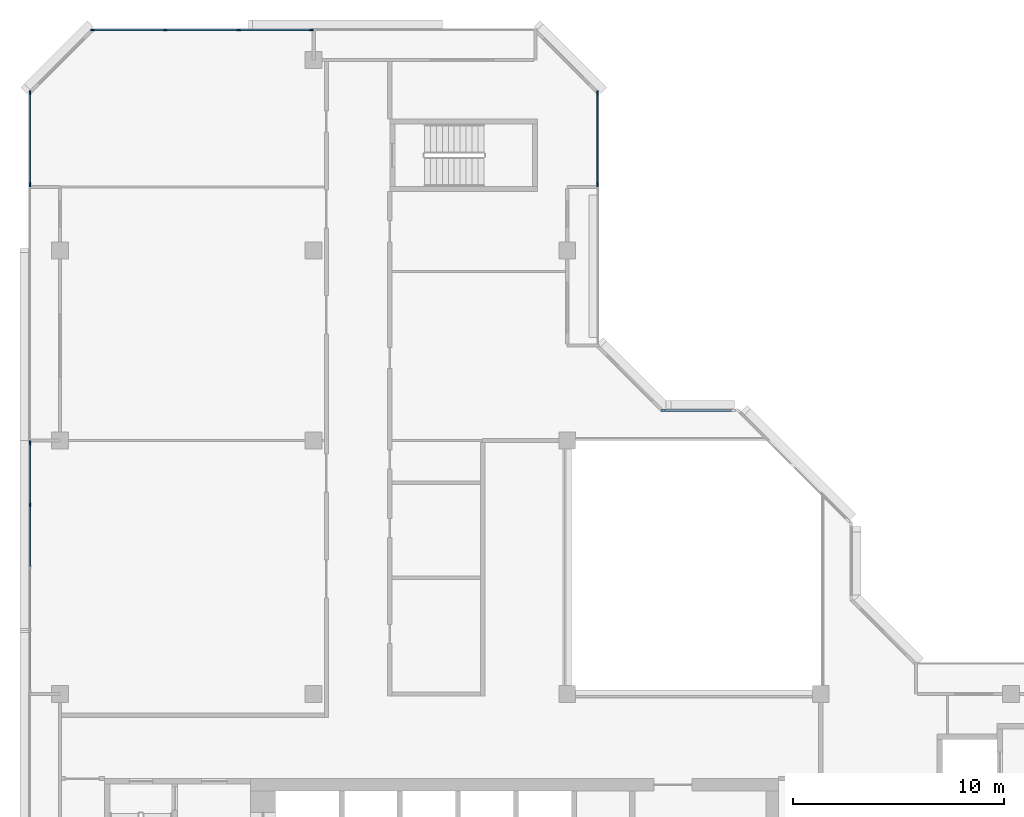
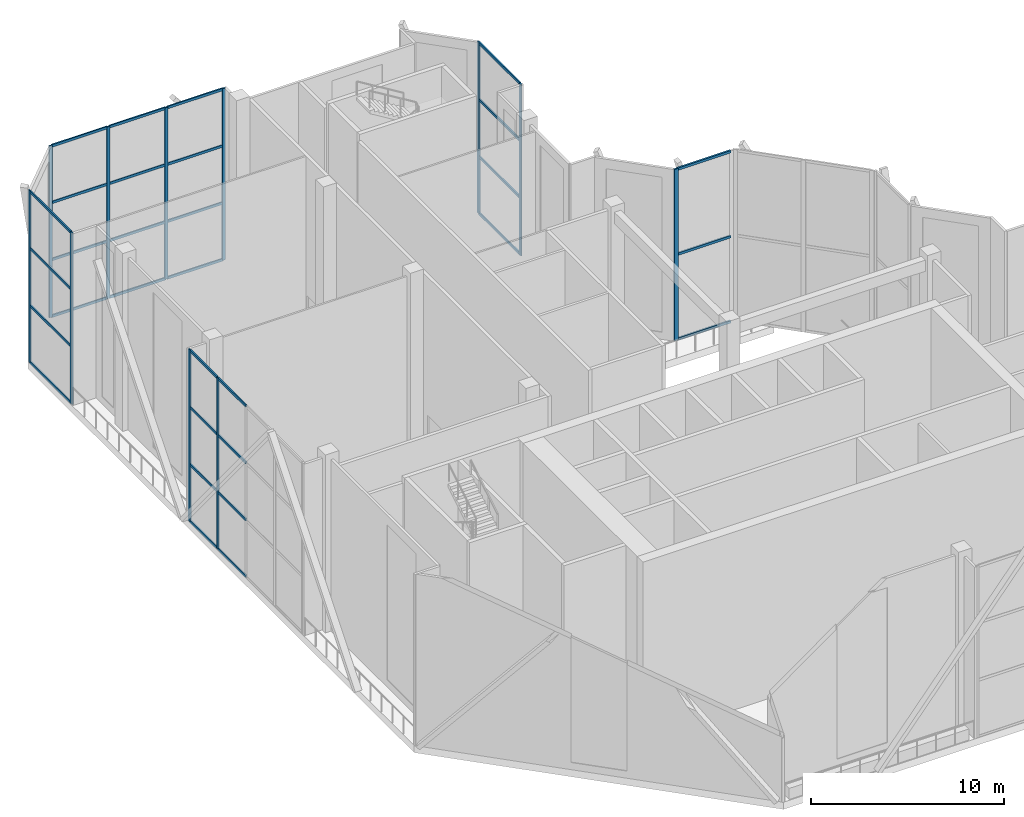
# One storey, part 5 of 16: 42 members, 5 elements without a shape of their own.
"""IFC4 building model written with IfcOpenShell, lengths in metres."""

from ifc_helpers import new_model, si_unit, direction, frame, origin, origin_2d, place, context, subcontext, project, spatial, rectangle, extrude, material, layer, layer_set, material_profile, profile_set, type_object, element, aggregate, save


model = new_model("IFC4")

# Units and contexts
model_context = context("Model", 3, precision=1e-05, world=origin(), true_north=direction((0.0, 1.0)))
body_context = subcontext(model_context, "Body", "Model", "MODEL_VIEW")
ifc_project = project(units=[si_unit("LENGTHUNIT", "METRE"), si_unit("AREAUNIT", "SQUARE_METRE"), si_unit("VOLUMEUNIT", "CUBIC_METRE"), si_unit("PLANEANGLEUNIT", "RADIAN"), si_unit("MASSUNIT", "GRAM", prefix="KILO")], contexts=[model_context])

# Site, building, storey
site_placement = place(None, origin())
site = spatial("IfcSite", under=ifc_project, at=site_placement, CompositionType="ELEMENT")
building_placement = place(site_placement, origin())
building = spatial("IfcBuilding", under=site, at=building_placement, Name="Chenar Terraces", CompositionType="ELEMENT")
storey_placement = place(building_placement, frame((0.0, 0.0, 327.64990234375)))
storey = spatial("IfcBuildingStorey", under=building, at=storey_placement, Name="L77", CompositionType="ELEMENT", Elevation=327.64990234375)

# Curtain wall, members
ifc_material_1 = material(Name="Aluminium framed glazing", Category="aluminium")
ifc_layer_1 = layer(ifc_material_1, 0.14990234375)
ifc_layer_set_1 = layer_set([ifc_layer_1], Name="Aluminium framed glazing")
curtain_wall_type_1 = type_object("IfcCurtainWallType", Name="Atrium upper-zone curtain wall", PredefinedType="NOTDEFINED", material=ifc_layer_set_1)
placement = place(storey_placement, origin())
curtain_wall_1 = element("IfcCurtainWall", 1, at=placement, inside=storey, type_object=curtain_wall_type_1, Name="Atrium upper-zone curtain wall", PredefinedType="NOTDEFINED")
ifc_material_2 = material(Name="Aluminium", Category="aluminium")
ifc_material_profile_1 = material_profile(ifc_material_2, rectangle(XDim=0.10009765625, YDim=0.239990234375, at=origin_2d()), Name="Atrium upper-zone glazing mullion 100 x 240")
ifc_profile_set_1 = profile_set([ifc_material_profile_1], Name="Aluminium")
member_type_1 = type_object("IfcMemberType", Name="Atrium upper-zone glazing mullion 100 x 240", PredefinedType="MULLION", material=ifc_profile_set_1)
member_1_placement = place(storey_placement, frame((28.550048828125, 37.425048828125, 0.0), z_axis=(0.0, 0.0, 1.0), x_axis=(0.0, -1.0, 0.0)))
member_1 = element("IfcMember", 2, at=member_1_placement, type_object=member_type_1, Name="CW8-3 mullion 2", PredefinedType="MULLION", context=body_context, shape_type="SweptSolid", body=[
    extrude(rectangle(XDim=0.10009765625, YDim=0.239990234375, at=origin_2d()), origin(), (0.0, 0.0, 1.0), 10.85009765625),
])
ifc_material_3 = material(Name="Aluminium", Category="aluminium")
ifc_material_profile_2 = material_profile(ifc_material_3, rectangle(XDim=0.10009765625, YDim=0.159912109375, at=origin_2d()), Name="Atrium upper-zone glazing transom 100 x 160")
ifc_profile_set_2 = profile_set([ifc_material_profile_2], Name="Aluminium")
member_type_2 = type_object("IfcMemberType", Name="Atrium upper-zone glazing transom 100 x 160", PredefinedType="USERDEFINED", material=ifc_profile_set_2)
member_2_placement = place(storey_placement, frame((31.800048828125, 37.425048828125, 0.050048828125), z_axis=(-1.0, 0.0, 0.0), x_axis=(0.0, -1.0, 0.0)))
member_2 = element("IfcMember", 3, at=member_2_placement, type_object=member_type_2, Name="CW8-3 transom 1.1", ObjectType="TRANSOM", PredefinedType="USERDEFINED", context=body_context, shape_type="SweptSolid", body=[
    extrude(rectangle(XDim=0.10009765625, YDim=0.159912109375, at=origin_2d()), origin(), (0.0, 0.0, 1.0), 3.199951171875),
])
member_3_placement = place(storey_placement, frame((31.800048828125, 37.425048828125, 5.425048828125), z_axis=(-1.0, 0.0, 0.0), x_axis=(0.0, -1.0, 0.0)))
member_3 = element("IfcMember", 4, at=member_3_placement, type_object=member_type_2, Name="CW8-3 transom 1.2", ObjectType="TRANSOM", PredefinedType="USERDEFINED", context=body_context, shape_type="SweptSolid", body=[
    extrude(rectangle(XDim=0.10009765625, YDim=0.159912109375, at=origin_2d()), origin(), (0.0, 0.0, 1.0), 3.199951171875),
])
member_4_placement = place(storey_placement, frame((31.800048828125, 37.425048828125, 10.800048828125), z_axis=(-1.0, 0.0, 0.0), x_axis=(0.0, -1.0, 0.0)))
member_4 = element("IfcMember", 5, at=member_4_placement, type_object=member_type_2, Name="CW8-3 transom 1.3", ObjectType="TRANSOM", PredefinedType="USERDEFINED", context=body_context, shape_type="SweptSolid", body=[
    extrude(rectangle(XDim=0.10009765625, YDim=0.159912109375, at=origin_2d()), origin(), (0.0, 0.0, 1.0), 3.199951171875),
])
aggregate(curtain_wall_1, [member_1, member_2, member_3, member_4])

ifc_material_4 = material(Name="Aluminium framed glazing", Category="aluminium")
ifc_layer_2 = layer(ifc_material_4, 0.14990234375)
ifc_layer_set_2 = layer_set([ifc_layer_2], Name="Aluminium framed glazing")
curtain_wall_type_2 = type_object("IfcCurtainWallType", Name="Sky garden curtain wall", PredefinedType="NOTDEFINED", material=ifc_layer_set_2)
curtain_wall_2 = element("IfcCurtainWall", 6, at=placement, inside=storey, type_object=curtain_wall_type_2, Name="Sky garden curtain wall", PredefinedType="NOTDEFINED")
ifc_material_5 = material(Name="Aluminium", Category="aluminium")
ifc_material_profile_3 = material_profile(ifc_material_5, rectangle(XDim=0.080078125, YDim=0.199951171875, at=origin_2d()), Name="Sky garden mullion 80 x 200")
ifc_profile_set_3 = profile_set([ifc_material_profile_3], Name="Aluminium")
member_type_3 = type_object("IfcMemberType", Name="Sky garden mullion 80 x 200", PredefinedType="MULLION", material=ifc_profile_set_3)
member_5_placement = place(storey_placement, frame((25.425048828125, 48.114990234375, 0.0), z_axis=(0.0, 0.0, 1.0), x_axis=(-1.0, 0.0, 0.0)))
member_5 = element("IfcMember", 7, at=member_5_placement, type_object=member_type_3, Name="CW3-02 mullion 1", PredefinedType="MULLION", context=body_context, shape_type="SweptSolid", body=[
    extrude(rectangle(XDim=0.080078125, YDim=0.199951171875, at=origin_2d()), origin(), (0.0, 0.0, 1.0), 10.85009765625),
])
member_6_placement = place(storey_placement, frame((25.425048828125, 52.4599609375, 0.0), z_axis=(0.0, 0.0, 1.0), x_axis=(-1.0, 0.0, 0.0)))
member_6 = element("IfcMember", 8, at=member_6_placement, type_object=member_type_3, Name="CW3-02 mullion 2", PredefinedType="MULLION", context=body_context, shape_type="SweptSolid", body=[
    extrude(rectangle(XDim=0.080078125, YDim=0.199951171875, at=origin_2d()), origin(), (0.0, 0.0, 1.0), 10.85009765625),
])

curtain_wall_3 = element("IfcCurtainWall", 9, at=placement, inside=storey, type_object=curtain_wall_type_2, Name="Sky garden curtain wall", PredefinedType="NOTDEFINED")
member_7_placement = place(storey_placement, frame((11.885009765625, 55.425048828125, 0.0), z_axis=(0.0, 0.0, 1.0), x_axis=(0.0, -1.0, 0.0)))
member_7 = element("IfcMember", 10, at=member_7_placement, type_object=member_type_3, Name="CW3-03 mullion 1", PredefinedType="MULLION", context=body_context, shape_type="SweptSolid", body=[
    extrude(rectangle(XDim=0.080078125, YDim=0.199951171875, at=origin_2d()), origin(), (0.0, 0.0, 1.0), 10.85009765625),
])
member_8_placement = place(storey_placement, frame((8.449951171875, 55.425048828125, 0.0), z_axis=(0.0, 0.0, 1.0), x_axis=(0.0, -1.0, 0.0)))
member_8 = element("IfcMember", 11, at=member_8_placement, type_object=member_type_3, Name="CW3-03 mullion 2", PredefinedType="MULLION", context=body_context, shape_type="SweptSolid", body=[
    extrude(rectangle(XDim=0.080078125, YDim=0.199951171875, at=origin_2d()), origin(), (0.0, 0.0, 1.0), 10.85009765625),
])
member_9_placement = place(storey_placement, frame((4.97509765625, 55.425048828125, 0.0), z_axis=(0.0, 0.0, 1.0), x_axis=(0.0, -1.0, 0.0)))
member_9 = element("IfcMember", 12, at=member_9_placement, type_object=member_type_3, Name="CW3-03 mullion 3", PredefinedType="MULLION", context=body_context, shape_type="SweptSolid", body=[
    extrude(rectangle(XDim=0.080078125, YDim=0.199951171875, at=origin_2d()), origin(), (0.0, 0.0, 1.0), 10.85009765625),
])
member_10_placement = place(storey_placement, frame((1.5400390625, 55.425048828125, 0.0), z_axis=(0.0, 0.0, 1.0), x_axis=(0.0, -1.0, 0.0)))
member_10 = element("IfcMember", 13, at=member_10_placement, type_object=member_type_3, Name="CW3-03 mullion 4", PredefinedType="MULLION", context=body_context, shape_type="SweptSolid", body=[
    extrude(rectangle(XDim=0.080078125, YDim=0.199951171875, at=origin_2d()), origin(), (0.0, 0.0, 1.0), 10.85009765625),
])

curtain_wall_4 = element("IfcCurtainWall", 14, at=placement, inside=storey, type_object=curtain_wall_type_2, Name="Sky garden curtain wall", PredefinedType="NOTDEFINED")
member_11_placement = place(storey_placement, frame((-1.425048828125, 52.4599609375, 0.0), z_axis=(0.0, 0.0, 1.0), x_axis=(1.0, 0.0, 0.0)))
member_11 = element("IfcMember", 15, at=member_11_placement, type_object=member_type_3, Name="CW3-04 mullion 1", PredefinedType="MULLION", context=body_context, shape_type="SweptSolid", body=[
    extrude(rectangle(XDim=0.080078125, YDim=0.199951171875, at=origin_2d()), origin(), (0.0, 0.0, 1.0), 10.85009765625),
])
member_12_placement = place(storey_placement, frame((-1.425048828125, 48.114990234375, 0.0), z_axis=(0.0, 0.0, 1.0), x_axis=(1.0, 0.0, 0.0)))
member_12 = element("IfcMember", 16, at=member_12_placement, type_object=member_type_3, Name="CW3-04 mullion 2", PredefinedType="MULLION", context=body_context, shape_type="SweptSolid", body=[
    extrude(rectangle(XDim=0.080078125, YDim=0.199951171875, at=origin_2d()), origin(), (0.0, 0.0, 1.0), 10.85009765625),
])

curtain_wall_5 = element("IfcCurtainWall", 17, at=placement, inside=storey, type_object=curtain_wall_type_2, Name="Sky garden curtain wall", PredefinedType="NOTDEFINED")
member_13_placement = place(storey_placement, frame((-1.425048828125, 35.885009765625, 0.0), z_axis=(0.0, 0.0, 1.0), x_axis=(1.0, 0.0, 0.0)))
member_13 = element("IfcMember", 18, at=member_13_placement, type_object=member_type_3, Name="CW3-05 mullion 1", PredefinedType="MULLION", context=body_context, shape_type="SweptSolid", body=[
    extrude(rectangle(XDim=0.080078125, YDim=0.199951171875, at=origin_2d()), origin(), (0.0, 0.0, 1.0), 10.85009765625),
])
member_14_placement = place(storey_placement, frame((-1.425048828125, 32.96240234375, 0.0), z_axis=(0.0, 0.0, 1.0), x_axis=(1.0, 0.0, 0.0)))
member_14 = element("IfcMember", 19, at=member_14_placement, type_object=member_type_3, Name="CW3-05 mullion 2", PredefinedType="MULLION", context=body_context, shape_type="SweptSolid", body=[
    extrude(rectangle(XDim=0.080078125, YDim=0.199951171875, at=origin_2d()), origin(), (0.0, 0.0, 1.0), 10.85009765625),
])

# Member
ifc_material_6 = material(Name="Aluminium", Category="aluminium")
ifc_material_profile_4 = material_profile(ifc_material_6, rectangle(XDim=0.080078125, YDim=0.159912109375, at=origin_2d()), Name="Sky garden transom 80 x 160")
ifc_profile_set_4 = profile_set([ifc_material_profile_4], Name="Aluminium")
member_type_4 = type_object("IfcMemberType", Name="Sky garden transom 80 x 160", PredefinedType="USERDEFINED", material=ifc_profile_set_4)
member_15_placement = place(storey_placement, frame((25.425048828125, 48.155029296875, 0.0400390625), z_axis=(0.0, 1.0, 0.0), x_axis=(-1.0, 0.0, 0.0)))
member_15 = element("IfcMember", 20, at=member_15_placement, type_object=member_type_4, Name="CW3-02 transom 1.1", ObjectType="TRANSOM", PredefinedType="USERDEFINED", context=body_context, shape_type="SweptSolid", body=[
    extrude(rectangle(XDim=0.080078125, YDim=0.159912109375, at=origin_2d()), origin(), (0.0, 0.0, 1.0), 4.264892578125),
])

member_16_placement = place(storey_placement, frame((25.425048828125, 48.155029296875, 3.6171875), z_axis=(0.0, 1.0, 0.0), x_axis=(-1.0, 0.0, 0.0)))
member_16 = element("IfcMember", 21, at=member_16_placement, type_object=member_type_4, Name="CW3-02 transom 1.2", ObjectType="TRANSOM", PredefinedType="USERDEFINED", context=body_context, shape_type="SweptSolid", body=[
    extrude(rectangle(XDim=0.080078125, YDim=0.159912109375, at=origin_2d()), origin(), (0.0, 0.0, 1.0), 4.264892578125),
])

member_17_placement = place(storey_placement, frame((25.425048828125, 48.155029296875, 7.233154296875), z_axis=(0.0, 1.0, 0.0), x_axis=(-1.0, 0.0, 0.0)))
member_17 = element("IfcMember", 22, at=member_17_placement, type_object=member_type_4, Name="CW3-02 transom 1.3", ObjectType="TRANSOM", PredefinedType="USERDEFINED", context=body_context, shape_type="SweptSolid", body=[
    extrude(rectangle(XDim=0.080078125, YDim=0.159912109375, at=origin_2d()), origin(), (0.0, 0.0, 1.0), 4.264892578125),
])

member_18_placement = place(storey_placement, frame((25.425048828125, 48.155029296875, 10.81005859375), z_axis=(0.0, 1.0, 0.0), x_axis=(-1.0, 0.0, 0.0)))
member_18 = element("IfcMember", 23, at=member_18_placement, type_object=member_type_4, Name="CW3-02 transom 1.4", ObjectType="TRANSOM", PredefinedType="USERDEFINED", context=body_context, shape_type="SweptSolid", body=[
    extrude(rectangle(XDim=0.080078125, YDim=0.159912109375, at=origin_2d()), origin(), (0.0, 0.0, 1.0), 4.264892578125),
])

aggregate(curtain_wall_2, [member_5, member_6, member_15, member_16, member_17, member_18])

member_19_placement = place(storey_placement, frame((11.844970703125, 55.425048828125, 0.0400390625), z_axis=(-1.0, 0.0, 0.0), x_axis=(0.0, -1.0, 0.0)))
member_19 = element("IfcMember", 24, at=member_19_placement, type_object=member_type_4, Name="CW3-03 transom 1.1", ObjectType="TRANSOM", PredefinedType="USERDEFINED", context=body_context, shape_type="SweptSolid", body=[
    extrude(rectangle(XDim=0.080078125, YDim=0.159912109375, at=origin_2d()), origin(), (0.0, 0.0, 1.0), 3.35498046875),
])

member_20_placement = place(storey_placement, frame((11.844970703125, 55.425048828125, 3.6171875), z_axis=(-1.0, 0.0, 0.0), x_axis=(0.0, -1.0, 0.0)))
member_20 = element("IfcMember", 25, at=member_20_placement, type_object=member_type_4, Name="CW3-03 transom 1.2", ObjectType="TRANSOM", PredefinedType="USERDEFINED", context=body_context, shape_type="SweptSolid", body=[
    extrude(rectangle(XDim=0.080078125, YDim=0.159912109375, at=origin_2d()), origin(), (0.0, 0.0, 1.0), 3.35498046875),
])

member_21_placement = place(storey_placement, frame((11.844970703125, 55.425048828125, 7.233154296875), z_axis=(-1.0, 0.0, 0.0), x_axis=(0.0, -1.0, 0.0)))
member_21 = element("IfcMember", 26, at=member_21_placement, type_object=member_type_4, Name="CW3-03 transom 1.3", ObjectType="TRANSOM", PredefinedType="USERDEFINED", context=body_context, shape_type="SweptSolid", body=[
    extrude(rectangle(XDim=0.080078125, YDim=0.159912109375, at=origin_2d()), origin(), (0.0, 0.0, 1.0), 3.35498046875),
])

member_22_placement = place(storey_placement, frame((11.844970703125, 55.425048828125, 10.81005859375), z_axis=(-1.0, 0.0, 0.0), x_axis=(0.0, -1.0, 0.0)))
member_22 = element("IfcMember", 27, at=member_22_placement, type_object=member_type_4, Name="CW3-03 transom 1.4", ObjectType="TRANSOM", PredefinedType="USERDEFINED", context=body_context, shape_type="SweptSolid", body=[
    extrude(rectangle(XDim=0.080078125, YDim=0.159912109375, at=origin_2d()), origin(), (0.0, 0.0, 1.0), 3.35498046875),
])

member_23_placement = place(storey_placement, frame((8.409912109375, 55.425048828125, 0.0400390625), z_axis=(-1.0, 0.0, 0.0), x_axis=(0.0, -1.0, 0.0)))
member_23 = element("IfcMember", 28, at=member_23_placement, type_object=member_type_4, Name="CW3-03 transom 2.1", ObjectType="TRANSOM", PredefinedType="USERDEFINED", context=body_context, shape_type="SweptSolid", body=[
    extrude(rectangle(XDim=0.080078125, YDim=0.159912109375, at=origin_2d()), origin(), (0.0, 0.0, 1.0), 3.39501953125),
])

member_24_placement = place(storey_placement, frame((8.409912109375, 55.425048828125, 3.6171875), z_axis=(-1.0, 0.0, 0.0), x_axis=(0.0, -1.0, 0.0)))
member_24 = element("IfcMember", 29, at=member_24_placement, type_object=member_type_4, Name="CW3-03 transom 2.2", ObjectType="TRANSOM", PredefinedType="USERDEFINED", context=body_context, shape_type="SweptSolid", body=[
    extrude(rectangle(XDim=0.080078125, YDim=0.159912109375, at=origin_2d()), origin(), (0.0, 0.0, 1.0), 3.39501953125),
])

member_25_placement = place(storey_placement, frame((8.409912109375, 55.425048828125, 7.233154296875), z_axis=(-1.0, 0.0, 0.0), x_axis=(0.0, -1.0, 0.0)))
member_25 = element("IfcMember", 30, at=member_25_placement, type_object=member_type_4, Name="CW3-03 transom 2.3", ObjectType="TRANSOM", PredefinedType="USERDEFINED", context=body_context, shape_type="SweptSolid", body=[
    extrude(rectangle(XDim=0.080078125, YDim=0.159912109375, at=origin_2d()), origin(), (0.0, 0.0, 1.0), 3.39501953125),
])

member_26_placement = place(storey_placement, frame((8.409912109375, 55.425048828125, 10.81005859375), z_axis=(-1.0, 0.0, 0.0), x_axis=(0.0, -1.0, 0.0)))
member_26 = element("IfcMember", 31, at=member_26_placement, type_object=member_type_4, Name="CW3-03 transom 2.4", ObjectType="TRANSOM", PredefinedType="USERDEFINED", context=body_context, shape_type="SweptSolid", body=[
    extrude(rectangle(XDim=0.080078125, YDim=0.159912109375, at=origin_2d()), origin(), (0.0, 0.0, 1.0), 3.39501953125),
])

member_27_placement = place(storey_placement, frame((4.93505859375, 55.425048828125, 0.0400390625), z_axis=(-1.0, 0.0, 0.0), x_axis=(0.0, -1.0, 0.0)))
member_27 = element("IfcMember", 32, at=member_27_placement, type_object=member_type_4, Name="CW3-03 transom 3.1", ObjectType="TRANSOM", PredefinedType="USERDEFINED", context=body_context, shape_type="SweptSolid", body=[
    extrude(rectangle(XDim=0.080078125, YDim=0.159912109375, at=origin_2d()), origin(), (0.0, 0.0, 1.0), 3.35498046875),
])

member_28_placement = place(storey_placement, frame((4.93505859375, 55.425048828125, 3.6171875), z_axis=(-1.0, 0.0, 0.0), x_axis=(0.0, -1.0, 0.0)))
member_28 = element("IfcMember", 33, at=member_28_placement, type_object=member_type_4, Name="CW3-03 transom 3.2", ObjectType="TRANSOM", PredefinedType="USERDEFINED", context=body_context, shape_type="SweptSolid", body=[
    extrude(rectangle(XDim=0.080078125, YDim=0.159912109375, at=origin_2d()), origin(), (0.0, 0.0, 1.0), 3.35498046875),
])

member_29_placement = place(storey_placement, frame((4.93505859375, 55.425048828125, 7.233154296875), z_axis=(-1.0, 0.0, 0.0), x_axis=(0.0, -1.0, 0.0)))
member_29 = element("IfcMember", 34, at=member_29_placement, type_object=member_type_4, Name="CW3-03 transom 3.3", ObjectType="TRANSOM", PredefinedType="USERDEFINED", context=body_context, shape_type="SweptSolid", body=[
    extrude(rectangle(XDim=0.080078125, YDim=0.159912109375, at=origin_2d()), origin(), (0.0, 0.0, 1.0), 3.35498046875),
])

member_30_placement = place(storey_placement, frame((4.93505859375, 55.425048828125, 10.81005859375), z_axis=(-1.0, 0.0, 0.0), x_axis=(0.0, -1.0, 0.0)))
member_30 = element("IfcMember", 35, at=member_30_placement, type_object=member_type_4, Name="CW3-03 transom 3.4", ObjectType="TRANSOM", PredefinedType="USERDEFINED", context=body_context, shape_type="SweptSolid", body=[
    extrude(rectangle(XDim=0.080078125, YDim=0.159912109375, at=origin_2d()), origin(), (0.0, 0.0, 1.0), 3.35498046875),
])

aggregate(curtain_wall_3, [member_7, member_8, member_9, member_10, member_19, member_20, member_21, member_22, member_23, member_24, member_25, member_26, member_27, member_28, member_29, member_30])

member_31_placement = place(storey_placement, frame((-1.425048828125, 52.419921875, 0.0400390625), z_axis=(0.0, -1.0, 0.0), x_axis=(1.0, 0.0, 0.0)))
member_31 = element("IfcMember", 36, at=member_31_placement, type_object=member_type_4, Name="CW3-04 transom 1.1", ObjectType="TRANSOM", PredefinedType="USERDEFINED", context=body_context, shape_type="SweptSolid", body=[
    extrude(rectangle(XDim=0.080078125, YDim=0.159912109375, at=origin_2d()), origin(), (0.0, 0.0, 1.0), 4.264892578125),
])

member_32_placement = place(storey_placement, frame((-1.425048828125, 52.419921875, 3.6171875), z_axis=(0.0, -1.0, 0.0), x_axis=(1.0, 0.0, 0.0)))
member_32 = element("IfcMember", 37, at=member_32_placement, type_object=member_type_4, Name="CW3-04 transom 1.2", ObjectType="TRANSOM", PredefinedType="USERDEFINED", context=body_context, shape_type="SweptSolid", body=[
    extrude(rectangle(XDim=0.080078125, YDim=0.159912109375, at=origin_2d()), origin(), (0.0, 0.0, 1.0), 4.264892578125),
])

member_33_placement = place(storey_placement, frame((-1.425048828125, 52.419921875, 7.233154296875), z_axis=(0.0, -1.0, 0.0), x_axis=(1.0, 0.0, 0.0)))
member_33 = element("IfcMember", 38, at=member_33_placement, type_object=member_type_4, Name="CW3-04 transom 1.3", ObjectType="TRANSOM", PredefinedType="USERDEFINED", context=body_context, shape_type="SweptSolid", body=[
    extrude(rectangle(XDim=0.080078125, YDim=0.159912109375, at=origin_2d()), origin(), (0.0, 0.0, 1.0), 4.264892578125),
])

member_34_placement = place(storey_placement, frame((-1.425048828125, 52.419921875, 10.81005859375), z_axis=(0.0, -1.0, 0.0), x_axis=(1.0, 0.0, 0.0)))
member_34 = element("IfcMember", 39, at=member_34_placement, type_object=member_type_4, Name="CW3-04 transom 1.4", ObjectType="TRANSOM", PredefinedType="USERDEFINED", context=body_context, shape_type="SweptSolid", body=[
    extrude(rectangle(XDim=0.080078125, YDim=0.159912109375, at=origin_2d()), origin(), (0.0, 0.0, 1.0), 4.264892578125),
])

aggregate(curtain_wall_4, [member_11, member_12, member_31, member_32, member_33, member_34])

member_35_placement = place(storey_placement, frame((-1.425048828125, 35.844970703125, 0.0400390625), z_axis=(0.0, -1.0, 0.0), x_axis=(1.0, 0.0, 0.0)))
member_35 = element("IfcMember", 40, at=member_35_placement, type_object=member_type_4, Name="CW3-05 transom 1.1", ObjectType="TRANSOM", PredefinedType="USERDEFINED", context=body_context, shape_type="SweptSolid", body=[
    extrude(rectangle(XDim=0.080078125, YDim=0.159912109375, at=origin_2d()), origin(), (0.0, 0.0, 1.0), 2.842529296875),
])

member_36_placement = place(storey_placement, frame((-1.425048828125, 35.844970703125, 3.6171875), z_axis=(0.0, -1.0, 0.0), x_axis=(1.0, 0.0, 0.0)))
member_36 = element("IfcMember", 41, at=member_36_placement, type_object=member_type_4, Name="CW3-05 transom 1.2", ObjectType="TRANSOM", PredefinedType="USERDEFINED", context=body_context, shape_type="SweptSolid", body=[
    extrude(rectangle(XDim=0.080078125, YDim=0.159912109375, at=origin_2d()), origin(), (0.0, 0.0, 1.0), 2.842529296875),
])

member_37_placement = place(storey_placement, frame((-1.425048828125, 35.844970703125, 7.233154296875), z_axis=(0.0, -1.0, 0.0), x_axis=(1.0, 0.0, 0.0)))
member_37 = element("IfcMember", 42, at=member_37_placement, type_object=member_type_4, Name="CW3-05 transom 1.3", ObjectType="TRANSOM", PredefinedType="USERDEFINED", context=body_context, shape_type="SweptSolid", body=[
    extrude(rectangle(XDim=0.080078125, YDim=0.159912109375, at=origin_2d()), origin(), (0.0, 0.0, 1.0), 2.842529296875),
])

member_38_placement = place(storey_placement, frame((-1.425048828125, 35.844970703125, 10.81005859375), z_axis=(0.0, -1.0, 0.0), x_axis=(1.0, 0.0, 0.0)))
member_38 = element("IfcMember", 43, at=member_38_placement, type_object=member_type_4, Name="CW3-05 transom 1.4", ObjectType="TRANSOM", PredefinedType="USERDEFINED", context=body_context, shape_type="SweptSolid", body=[
    extrude(rectangle(XDim=0.080078125, YDim=0.159912109375, at=origin_2d()), origin(), (0.0, 0.0, 1.0), 2.842529296875),
])

member_39_placement = place(storey_placement, frame((-1.425048828125, 32.922607421875, 0.0400390625), z_axis=(0.0, -1.0, 0.0), x_axis=(1.0, 0.0, 0.0)))
member_39 = element("IfcMember", 44, at=member_39_placement, type_object=member_type_4, Name="CW3-05 transom 2.1", ObjectType="TRANSOM", PredefinedType="USERDEFINED", context=body_context, shape_type="SweptSolid", body=[
    extrude(rectangle(XDim=0.080078125, YDim=0.159912109375, at=origin_2d()), origin(), (0.0, 0.0, 1.0), 2.882568359375),
])

member_40_placement = place(storey_placement, frame((-1.425048828125, 32.922607421875, 3.6171875), z_axis=(0.0, -1.0, 0.0), x_axis=(1.0, 0.0, 0.0)))
member_40 = element("IfcMember", 45, at=member_40_placement, type_object=member_type_4, Name="CW3-05 transom 2.2", ObjectType="TRANSOM", PredefinedType="USERDEFINED", context=body_context, shape_type="SweptSolid", body=[
    extrude(rectangle(XDim=0.080078125, YDim=0.159912109375, at=origin_2d()), origin(), (0.0, 0.0, 1.0), 2.882568359375),
])

member_41_placement = place(storey_placement, frame((-1.425048828125, 32.922607421875, 7.233154296875), z_axis=(0.0, -1.0, 0.0), x_axis=(1.0, 0.0, 0.0)))
member_41 = element("IfcMember", 46, at=member_41_placement, type_object=member_type_4, Name="CW3-05 transom 2.3", ObjectType="TRANSOM", PredefinedType="USERDEFINED", context=body_context, shape_type="SweptSolid", body=[
    extrude(rectangle(XDim=0.080078125, YDim=0.159912109375, at=origin_2d()), origin(), (0.0, 0.0, 1.0), 2.882568359375),
])

member_42_placement = place(storey_placement, frame((-1.425048828125, 32.922607421875, 10.81005859375), z_axis=(0.0, -1.0, 0.0), x_axis=(1.0, 0.0, 0.0)))
member_42 = element("IfcMember", 47, at=member_42_placement, type_object=member_type_4, Name="CW3-05 transom 2.4", ObjectType="TRANSOM", PredefinedType="USERDEFINED", context=body_context, shape_type="SweptSolid", body=[
    extrude(rectangle(XDim=0.080078125, YDim=0.159912109375, at=origin_2d()), origin(), (0.0, 0.0, 1.0), 2.882568359375),
])

aggregate(curtain_wall_5, [member_13, member_14, member_35, member_36, member_37, member_38, member_39, member_40, member_41, member_42])

save(model, "model.ifc")
